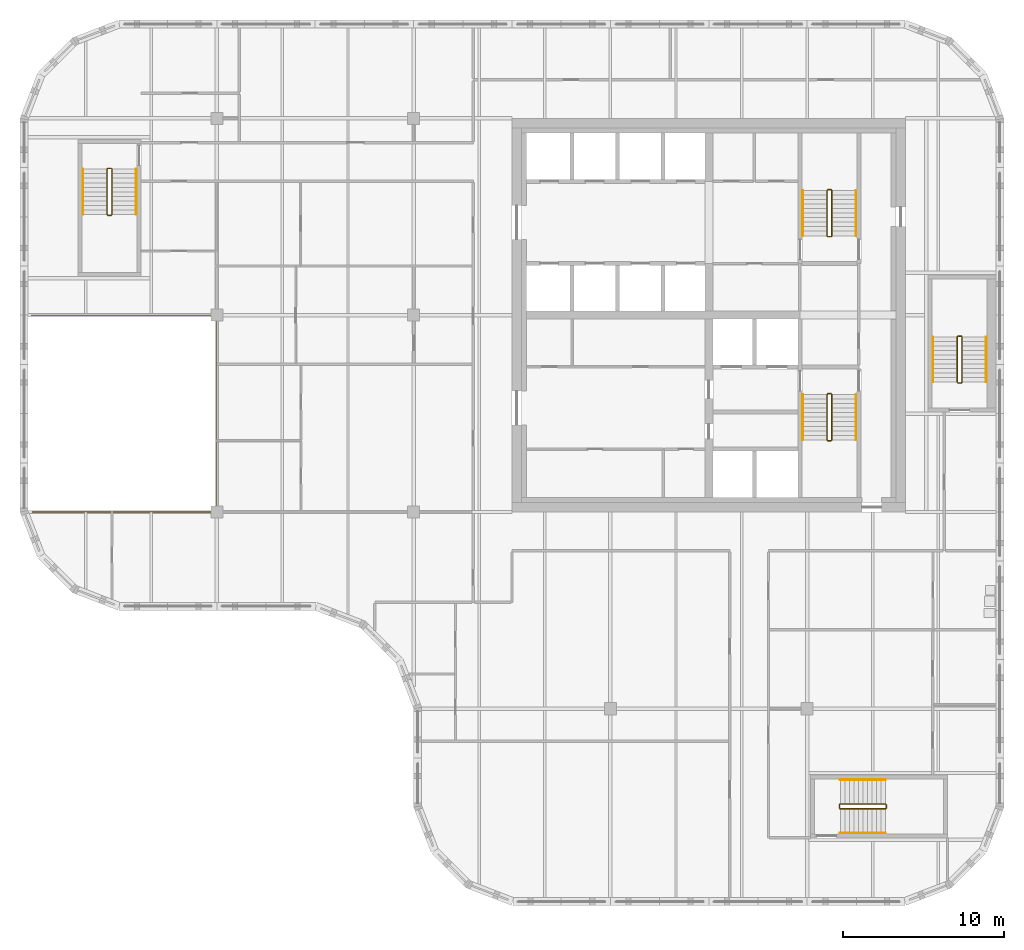
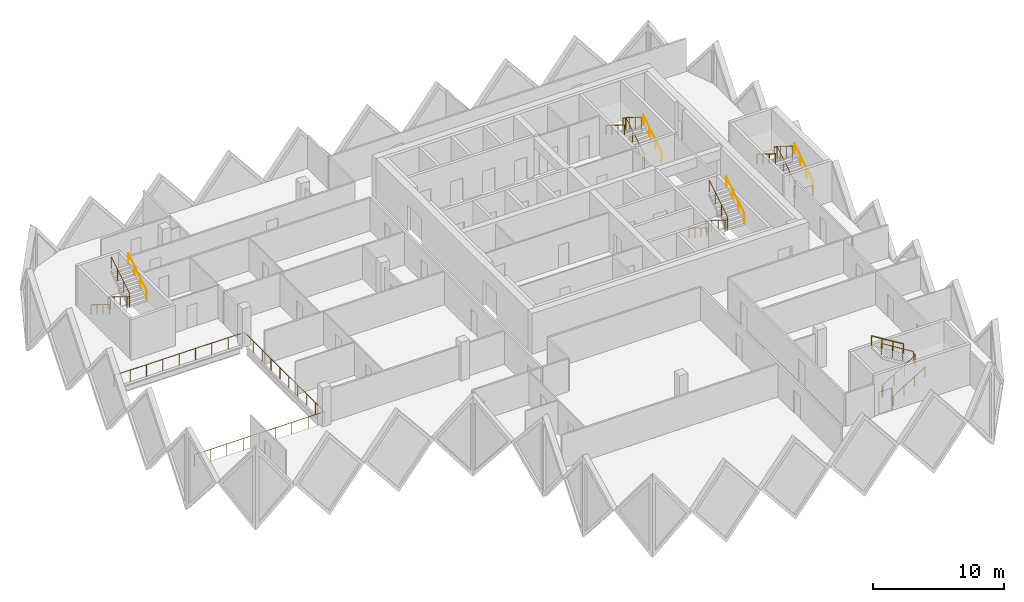
# One storey, part 11 of 12: 16 railings.
"""IFC4 building model written with IfcOpenShell, lengths in metres."""

from ifc_helpers import new_model, si_unit, direction, frame, origin, origin_2d, place, context, subcontext, project, spatial, circle, extrude, material, type_object, element, save


model = new_model("IFC4")

# Units and contexts
model_context = context("Model", 3, precision=1e-05, world=origin(), true_north=direction((0.0, 1.0)))
body_context = subcontext(model_context, "Body", "Model", "MODEL_VIEW")
ifc_project = project(units=[si_unit("LENGTHUNIT", "METRE"), si_unit("AREAUNIT", "SQUARE_METRE"), si_unit("VOLUMEUNIT", "CUBIC_METRE"), si_unit("PLANEANGLEUNIT", "RADIAN"), si_unit("MASSUNIT", "GRAM", prefix="KILO")], contexts=[model_context])

# Site, building, storey
site_placement = place(None, origin())
site = spatial("IfcSite", under=ifc_project, at=site_placement, CompositionType="ELEMENT")
building_placement = place(site_placement, origin())
building = spatial("IfcBuilding", under=site, at=building_placement, Name="Tessera Gate Towers", CompositionType="ELEMENT")
storey_placement = place(building_placement, frame((0.0, 0.0, 182.0)))
storey = spatial("IfcBuildingStorey", under=building, at=storey_placement, Name="L45", CompositionType="ELEMENT", Elevation=182.0)

# Railings
ifc_material_1 = material(Name="Toughened glass with stainless steel handrail", Category="steel")
railing_type_1 = type_object("IfcRailingType", Name="GUARD 1100 GLASS BALUSTRADE", PredefinedType="GUARDRAIL", material=ifc_material_1)
railing_1_placement = place(storey_placement, frame((0.750244140625, 24.39990234375, 0.0)))
element("IfcRailing", 1, at=railing_1_placement, inside=storey, type_object=railing_type_1, Name="Guard", PredefinedType="GUARDRAIL", context=body_context, shape_type="SweptSolid", body=[
    extrude(circle(Radius=0.02490234375, at=origin_2d()), frame((0.0, 0.0, 1.0751953125), z_axis=(1.0, 0.0, 0.0), x_axis=(0.0, 1.0, 0.0)), (0.0, 0.0, 1.0), 11.44970703125),
    extrude(circle(Radius=0.02490234375, at=origin_2d()), frame((11.44970703125, 0.0, 1.0751953125), z_axis=(0.0, 1.0, 0.0), x_axis=(-1.0, 0.0, 0.0)), (0.0, 0.0, 1.0), 12.2001953125),
    extrude(circle(Radius=0.02490234375, at=origin_2d()), frame((11.44970703125, 12.2001953125, 1.0751953125), z_axis=(-1.0, 0.0, 0.0), x_axis=(0.0, -1.0, 0.0)), (0.0, 0.0, 1.0), 11.5),
    extrude(circle(Radius=0.02490234375, at=origin_2d()), origin(), (0.0, 0.0, 1.0), 1.050048828125),
    extrude(circle(Radius=0.02490234375, at=origin_2d()), frame((1.43115234375, 0.0, 0.0)), (0.0, 0.0, 1.0), 1.050048828125),
    extrude(circle(Radius=0.02490234375, at=origin_2d()), frame((2.8623046875, 0.0, 0.0)), (0.0, 0.0, 1.0), 1.050048828125),
    extrude(circle(Radius=0.02490234375, at=origin_2d()), frame((4.293701171875, 0.0, 0.0)), (0.0, 0.0, 1.0), 1.050048828125),
    extrude(circle(Radius=0.02490234375, at=origin_2d()), frame((5.724853515625, 0.0, 0.0)), (0.0, 0.0, 1.0), 1.050048828125),
    extrude(circle(Radius=0.02490234375, at=origin_2d()), frame((7.156005859375, 0.0, 0.0)), (0.0, 0.0, 1.0), 1.050048828125),
    extrude(circle(Radius=0.02490234375, at=origin_2d()), frame((8.58740234375, 0.0, 0.0)), (0.0, 0.0, 1.0), 1.050048828125),
    extrude(circle(Radius=0.02490234375, at=origin_2d()), frame((10.0185546875, 0.0, 0.0)), (0.0, 0.0, 1.0), 1.050048828125),
    extrude(circle(Radius=0.02490234375, at=origin_2d()), frame((11.44970703125, 0.0, 0.0)), (0.0, 0.0, 1.0), 1.050048828125),
    extrude(circle(Radius=0.02490234375, at=origin_2d()), frame((11.44970703125, 1.35546875, 0.0)), (0.0, 0.0, 1.0), 1.050048828125),
    extrude(circle(Radius=0.02490234375, at=origin_2d()), frame((11.44970703125, 2.711181640625, 0.0)), (0.0, 0.0, 1.0), 1.050048828125),
    extrude(circle(Radius=0.02490234375, at=origin_2d()), frame((11.44970703125, 4.066650390625, 0.0)), (0.0, 0.0, 1.0), 1.050048828125),
    extrude(circle(Radius=0.02490234375, at=origin_2d()), frame((11.44970703125, 5.42236328125, 0.0)), (0.0, 0.0, 1.0), 1.050048828125),
    extrude(circle(Radius=0.02490234375, at=origin_2d()), frame((11.44970703125, 6.77783203125, 0.0)), (0.0, 0.0, 1.0), 1.050048828125),
    extrude(circle(Radius=0.02490234375, at=origin_2d()), frame((11.44970703125, 8.133544921875, 0.0)), (0.0, 0.0, 1.0), 1.050048828125),
    extrude(circle(Radius=0.02490234375, at=origin_2d()), frame((11.44970703125, 9.489013671875, 0.0)), (0.0, 0.0, 1.0), 1.050048828125),
    extrude(circle(Radius=0.02490234375, at=origin_2d()), frame((11.44970703125, 10.8447265625, 0.0)), (0.0, 0.0, 1.0), 1.050048828125),
    extrude(circle(Radius=0.02490234375, at=origin_2d()), frame((11.44970703125, 12.2001953125, 0.0)), (0.0, 0.0, 1.0), 1.050048828125),
    extrude(circle(Radius=0.02490234375, at=origin_2d()), frame((10.01220703125, 12.2001953125, 0.0)), (0.0, 0.0, 1.0), 1.050048828125),
    extrude(circle(Radius=0.02490234375, at=origin_2d()), frame((8.57470703125, 12.2001953125, 0.0)), (0.0, 0.0, 1.0), 1.050048828125),
    extrude(circle(Radius=0.02490234375, at=origin_2d()), frame((7.13720703125, 12.2001953125, 0.0)), (0.0, 0.0, 1.0), 1.050048828125),
    extrude(circle(Radius=0.02490234375, at=origin_2d()), frame((5.69970703125, 12.2001953125, 0.0)), (0.0, 0.0, 1.0), 1.050048828125),
    extrude(circle(Radius=0.02490234375, at=origin_2d()), frame((4.26220703125, 12.2001953125, 0.0)), (0.0, 0.0, 1.0), 1.050048828125),
    extrude(circle(Radius=0.02490234375, at=origin_2d()), frame((2.82470703125, 12.2001953125, 0.0)), (0.0, 0.0, 1.0), 1.050048828125),
    extrude(circle(Radius=0.02490234375, at=origin_2d()), frame((1.38720703125, 12.2001953125, 0.0)), (0.0, 0.0, 1.0), 1.050048828125),
    extrude(circle(Radius=0.02490234375, at=origin_2d()), frame((-0.05029296875, 12.2001953125, 0.0)), (0.0, 0.0, 1.0), 1.050048828125),
])
ifc_material_2 = material(Name="Steel 350W", Category="steel")
railing_type_2 = type_object("IfcRailingType", Name="STAIR GUARD 1100", PredefinedType="GUARDRAIL", material=ifc_material_2)
railing_2_placement = place(storey_placement, frame((50.27490234375, 31.72509765625, 0.0)))
element("IfcRailing", 2, at=railing_2_placement, inside=storey, type_object=railing_type_2, Name="L45 ST1 stair guard 1", PredefinedType="GUARDRAIL", context=body_context, shape_type="SweptSolid", body=[
    extrude(circle(Radius=0.02392578125, at=origin_2d()), frame((0.0, 0.0, 1.076171875), z_axis=(-1.0, 0.0, 0.0), x_axis=(0.0, -1.0, 0.0)), (0.0, 0.0, 1.0), 0.199951171875),
    extrude(circle(Radius=0.02392578125, at=origin_2d()), frame((-0.199951171875, 0.0, 1.076171875), z_axis=(-0.268277960024, -0.268277960024, 0.925231793839), x_axis=(0.707106781187, -0.707106781187, 0.0)), (0.0, 0.0, 1.0), 0.1865234375),
    extrude(circle(Radius=0.02392578125, at=origin_2d()), frame((-0.25, -0.050048828125, 1.24853515625), z_axis=(0.0, -0.851089632645, 0.525020415988), x_axis=(1.0, 0.0, 0.0)), (0.0, 0.0, 1.0), 3.2900390625),
    extrude(circle(Radius=0.02392578125, at=origin_2d()), frame((-0.25, -2.85009765625, 2.97607421875), z_axis=(0.707106781187, -0.707106781187, 0.0), x_axis=(0.707106781187, 0.707106781187, 0.0)), (0.0, 0.0, 1.0), 0.07080078125),
    extrude(circle(Radius=0.02392578125, at=origin_2d()), frame((-0.199951171875, -2.900146484375, 2.97607421875), z_axis=(1.0, 0.0, 0.0), x_axis=(0.0, 1.0, 0.0)), (0.0, 0.0, 1.0), 0.199951171875),
    extrude(circle(Radius=0.02392578125, at=origin_2d()), frame((0.0, -2.900146484375, 2.97607421875), z_axis=(0.267953482034, 0.267953482034, 0.925419830635), x_axis=(-0.707106781187, 0.707106781187, 0.0)), (0.0, 0.0, 1.0), 0.186767578125),
    extrude(circle(Radius=0.02392578125, at=origin_2d()), frame((0.050048828125, -2.85009765625, 3.14892578125), z_axis=(0.0, 0.851089632645, 0.525020415988), x_axis=(-1.0, 0.0, 0.0)), (0.0, 0.0, 1.0), 3.2900390625),
    extrude(circle(Radius=0.02099609375, at=origin_2d()), origin(), (0.0, 0.0, 1.0), 1.052001953125),
    extrude(circle(Radius=0.02099609375, at=origin_2d()), frame((-0.199951171875, 0.0, 0.0)), (0.0, 0.0, 1.0), 1.052001953125),
    extrude(circle(Radius=0.02099609375, at=origin_2d()), frame((-0.25, -0.050048828125, 0.172607421875)), (0.0, 0.0, 1.0), 1.052001953125),
    extrude(circle(Radius=0.02099609375, at=origin_2d()), frame((-0.25, -0.9833984375, 0.748291015625)), (0.0, 0.0, 1.0), 1.052001953125),
    extrude(circle(Radius=0.02099609375, at=origin_2d()), frame((-0.25, -1.916748046875, 1.32421875)), (0.0, 0.0, 1.0), 1.052001953125),
    extrude(circle(Radius=0.02099609375, at=origin_2d()), frame((-0.25, -2.85009765625, 1.89990234375)), (0.0, 0.0, 1.0), 1.052001953125),
    extrude(circle(Radius=0.02099609375, at=origin_2d()), frame((-0.199951171875, -2.900146484375, 1.89990234375)), (0.0, 0.0, 1.0), 1.052001953125),
    extrude(circle(Radius=0.02099609375, at=origin_2d()), frame((0.0, -2.900146484375, 1.89990234375)), (0.0, 0.0, 1.0), 1.052001953125),
    extrude(circle(Radius=0.02099609375, at=origin_2d()), frame((0.050048828125, -2.85009765625, 2.07275390625)), (0.0, 0.0, 1.0), 1.052001953125),
    extrude(circle(Radius=0.02099609375, at=origin_2d()), frame((0.050048828125, -1.916748046875, 2.6484375)), (0.0, 0.0, 1.0), 1.052001953125),
    extrude(circle(Radius=0.02099609375, at=origin_2d()), frame((0.050048828125, -0.9833984375, 3.224365234375)), (0.0, 0.0, 1.0), 1.052001953125),
    extrude(circle(Radius=0.02099609375, at=origin_2d()), frame((0.050048828125, -0.050048828125, 3.800048828125)), (0.0, 0.0, 1.0), 1.052001953125),
])
railing_3_placement = place(storey_placement, frame((50.074951171875, 41.47509765625, 0.0)))
element("IfcRailing", 3, at=railing_3_placement, inside=storey, type_object=railing_type_2, Name="L45 ST2 stair guard 1", PredefinedType="GUARDRAIL", context=body_context, shape_type="SweptSolid", body=[
    extrude(circle(Radius=0.02392578125, at=origin_2d()), frame((0.0, 0.0, 1.076171875), z_axis=(1.0, 0.0, 0.0), x_axis=(0.0, 1.0, 0.0)), (0.0, 0.0, 1.0), 0.199951171875),
    extrude(circle(Radius=0.02392578125, at=origin_2d()), frame((0.199951171875, 0.0, 1.076171875), z_axis=(0.268371968888, 0.267062837333, 0.925556009775), x_axis=(-0.705375805398, 0.708833529934, 0.0)), (0.0, 0.0, 1.0), 0.1865234375),
    extrude(circle(Radius=0.02392578125, at=origin_2d()), frame((0.25, 0.0498046875, 1.24853515625), z_axis=(0.0, 0.851089632645, 0.525020415988), x_axis=(-1.0, 0.0, 0.0)), (0.0, 0.0, 1.0), 3.2900390625),
    extrude(circle(Radius=0.02392578125, at=origin_2d()), frame((0.25, 2.849853515625, 2.97607421875), z_axis=(-0.707106781187, 0.707106781187, 0.0), x_axis=(-0.707106781187, -0.707106781187, 0.0)), (0.0, 0.0, 1.0), 0.07080078125),
    extrude(circle(Radius=0.02392578125, at=origin_2d()), frame((0.199951171875, 2.89990234375, 2.97607421875), z_axis=(-1.0, 0.0, 0.0), x_axis=(0.0, -1.0, 0.0)), (0.0, 0.0, 1.0), 0.199951171875),
    extrude(circle(Radius=0.02392578125, at=origin_2d()), frame((0.0, 2.89990234375, 2.97607421875), z_axis=(-0.267953482034, -0.267953482034, 0.925419830635), x_axis=(0.707106781187, -0.707106781187, 0.0)), (0.0, 0.0, 1.0), 0.186767578125),
    extrude(circle(Radius=0.02392578125, at=origin_2d()), frame((-0.050048828125, 2.849853515625, 3.14892578125), z_axis=(0.0, -0.851089632645, 0.525020415988), x_axis=(1.0, 0.0, 0.0)), (0.0, 0.0, 1.0), 3.2900390625),
    extrude(circle(Radius=0.02099609375, at=origin_2d()), origin(), (0.0, 0.0, 1.0), 1.052001953125),
    extrude(circle(Radius=0.02099609375, at=origin_2d()), frame((0.199951171875, 0.0, 0.0)), (0.0, 0.0, 1.0), 1.052001953125),
    extrude(circle(Radius=0.02099609375, at=origin_2d()), frame((0.25, 0.0498046875, 0.172607421875)), (0.0, 0.0, 1.0), 1.052001953125),
    extrude(circle(Radius=0.02099609375, at=origin_2d()), frame((0.25, 0.983154296875, 0.748291015625)), (0.0, 0.0, 1.0), 1.052001953125),
    extrude(circle(Radius=0.02099609375, at=origin_2d()), frame((0.25, 1.91650390625, 1.32421875)), (0.0, 0.0, 1.0), 1.052001953125),
    extrude(circle(Radius=0.02099609375, at=origin_2d()), frame((0.25, 2.849853515625, 1.89990234375)), (0.0, 0.0, 1.0), 1.052001953125),
    extrude(circle(Radius=0.02099609375, at=origin_2d()), frame((0.199951171875, 2.89990234375, 1.89990234375)), (0.0, 0.0, 1.0), 1.052001953125),
    extrude(circle(Radius=0.02099609375, at=origin_2d()), frame((0.0, 2.89990234375, 1.89990234375)), (0.0, 0.0, 1.0), 1.052001953125),
    extrude(circle(Radius=0.02099609375, at=origin_2d()), frame((-0.050048828125, 2.849853515625, 2.07275390625)), (0.0, 0.0, 1.0), 1.052001953125),
    extrude(circle(Radius=0.02099609375, at=origin_2d()), frame((-0.050048828125, 1.91650390625, 2.6484375)), (0.0, 0.0, 1.0), 1.052001953125),
    extrude(circle(Radius=0.02099609375, at=origin_2d()), frame((-0.050048828125, 0.983154296875, 3.224365234375)), (0.0, 0.0, 1.0), 1.052001953125),
    extrude(circle(Radius=0.02099609375, at=origin_2d()), frame((-0.050048828125, 0.0498046875, 3.800048828125)), (0.0, 0.0, 1.0), 1.052001953125),
])
railing_4_placement = place(storey_placement, frame((5.64990234375, 45.699951171875, 0.0)))
element("IfcRailing", 4, at=railing_4_placement, inside=storey, type_object=railing_type_2, Name="L45 ST3 stair guard 1", PredefinedType="GUARDRAIL", context=body_context, shape_type="SweptSolid", body=[
    extrude(circle(Radius=0.02392578125, at=origin_2d()), frame((0.0, 0.0, 1.076171875), z_axis=(-1.0, 0.0, 0.0), x_axis=(0.0, -1.0, 0.0)), (0.0, 0.0, 1.0), 0.199951171875),
    extrude(circle(Radius=0.02392578125, at=origin_2d()), frame((-0.199951171875, 0.0, 1.076171875), z_axis=(-0.268277960024, -0.268277960024, 0.925231793839), x_axis=(0.707106781187, -0.707106781187, 0.0)), (0.0, 0.0, 1.0), 0.1865234375),
    extrude(circle(Radius=0.02392578125, at=origin_2d()), frame((-0.25, -0.050048828125, 1.24853515625), z_axis=(0.0, -0.851069175582, 0.525053576669), x_axis=(1.0, 0.0, 0.0)), (0.0, 0.0, 1.0), 3.289794921875),
    extrude(circle(Radius=0.02392578125, at=origin_2d()), frame((-0.25, -2.849853515625, 2.97607421875), z_axis=(0.707106781187, -0.707106781187, 0.0), x_axis=(0.707106781187, 0.707106781187, 0.0)), (0.0, 0.0, 1.0), 0.07080078125),
    extrude(circle(Radius=0.02392578125, at=origin_2d()), frame((-0.199951171875, -2.89990234375, 2.97607421875), z_axis=(1.0, 0.0, 0.0), x_axis=(0.0, 1.0, 0.0)), (0.0, 0.0, 1.0), 0.199951171875),
    extrude(circle(Radius=0.02392578125, at=origin_2d()), frame((0.0, -2.89990234375, 2.97607421875), z_axis=(0.267953482034, 0.267953482034, 0.925419830635), x_axis=(-0.707106781187, 0.707106781187, 0.0)), (0.0, 0.0, 1.0), 0.186767578125),
    extrude(circle(Radius=0.02392578125, at=origin_2d()), frame((0.050048828125, -2.849853515625, 3.14892578125), z_axis=(0.0, 0.851069175582, 0.525053576669), x_axis=(-1.0, 0.0, 0.0)), (0.0, 0.0, 1.0), 3.289794921875),
    extrude(circle(Radius=0.02099609375, at=origin_2d()), origin(), (0.0, 0.0, 1.0), 1.052001953125),
    extrude(circle(Radius=0.02099609375, at=origin_2d()), frame((-0.199951171875, 0.0, 0.0)), (0.0, 0.0, 1.0), 1.052001953125),
    extrude(circle(Radius=0.02099609375, at=origin_2d()), frame((-0.25, -0.050048828125, 0.172607421875)), (0.0, 0.0, 1.0), 1.052001953125),
    extrude(circle(Radius=0.02099609375, at=origin_2d()), frame((-0.25, -0.9833984375, 0.748291015625)), (0.0, 0.0, 1.0), 1.052001953125),
    extrude(circle(Radius=0.02099609375, at=origin_2d()), frame((-0.25, -1.91650390625, 1.32421875)), (0.0, 0.0, 1.0), 1.052001953125),
    extrude(circle(Radius=0.02099609375, at=origin_2d()), frame((-0.25, -2.849853515625, 1.89990234375)), (0.0, 0.0, 1.0), 1.052001953125),
    extrude(circle(Radius=0.02099609375, at=origin_2d()), frame((-0.199951171875, -2.89990234375, 1.89990234375)), (0.0, 0.0, 1.0), 1.052001953125),
    extrude(circle(Radius=0.02099609375, at=origin_2d()), frame((0.0, -2.89990234375, 1.89990234375)), (0.0, 0.0, 1.0), 1.052001953125),
    extrude(circle(Radius=0.02099609375, at=origin_2d()), frame((0.050048828125, -2.849853515625, 2.07275390625)), (0.0, 0.0, 1.0), 1.052001953125),
    extrude(circle(Radius=0.02099609375, at=origin_2d()), frame((0.050048828125, -1.91650390625, 2.6484375)), (0.0, 0.0, 1.0), 1.052001953125),
    extrude(circle(Radius=0.02099609375, at=origin_2d()), frame((0.050048828125, -0.9833984375, 3.224365234375)), (0.0, 0.0, 1.0), 1.052001953125),
    extrude(circle(Radius=0.02099609375, at=origin_2d()), frame((0.050048828125, -0.050048828125, 3.800048828125)), (0.0, 0.0, 1.0), 1.052001953125),
])
railing_5_placement = place(storey_placement, frame((50.800048828125, 6.25, 0.0)))
element("IfcRailing", 5, at=railing_5_placement, inside=storey, type_object=railing_type_2, Name="L45 ST4 stair guard 1", PredefinedType="GUARDRAIL", context=body_context, shape_type="SweptSolid", body=[
    extrude(circle(Radius=0.02392578125, at=origin_2d()), frame((0.0, 0.0, 1.076171875), z_axis=(0.0, -1.0, 0.0), x_axis=(1.0, 0.0, 0.0)), (0.0, 0.0, 1.0), 0.199951171875),
    extrude(circle(Radius=0.02392578125, at=origin_2d()), frame((0.0, -0.199951171875, 1.076171875), z_axis=(0.268277960024, -0.268277960024, 0.925231793839), x_axis=(0.707106781187, 0.707106781187, 0.0)), (0.0, 0.0, 1.0), 0.1865234375),
    extrude(circle(Radius=0.02392578125, at=origin_2d()), frame((0.050048828125, -0.25, 1.24853515625), z_axis=(0.851069175582, 0.0, 0.525053576669), x_axis=(0.0, 1.0, 0.0)), (0.0, 0.0, 1.0), 3.289794921875),
    extrude(circle(Radius=0.02392578125, at=origin_2d()), frame((2.849853515625, -0.25, 2.97607421875), z_axis=(0.707106781187, 0.707106781187, 0.0), x_axis=(-0.707106781187, 0.707106781187, 0.0)), (0.0, 0.0, 1.0), 0.07080078125),
    extrude(circle(Radius=0.02392578125, at=origin_2d()), frame((2.89990234375, -0.199951171875, 2.97607421875), z_axis=(0.0, 1.0, 0.0), x_axis=(-1.0, 0.0, 0.0)), (0.0, 0.0, 1.0), 0.199951171875),
    extrude(circle(Radius=0.02392578125, at=origin_2d()), frame((2.89990234375, 0.0, 2.97607421875), z_axis=(-0.267953482034, 0.267953482034, 0.925419830635), x_axis=(-0.707106781187, -0.707106781187, 0.0)), (0.0, 0.0, 1.0), 0.186767578125),
    extrude(circle(Radius=0.02392578125, at=origin_2d()), frame((2.849853515625, 0.050048828125, 3.14892578125), z_axis=(-0.851069175582, 0.0, 0.525053576669), x_axis=(0.0, -1.0, 0.0)), (0.0, 0.0, 1.0), 3.289794921875),
    extrude(circle(Radius=0.02099609375, at=origin_2d()), origin(), (0.0, 0.0, 1.0), 1.052001953125),
    extrude(circle(Radius=0.02099609375, at=origin_2d()), frame((0.0, -0.199951171875, 0.0)), (0.0, 0.0, 1.0), 1.052001953125),
    extrude(circle(Radius=0.02099609375, at=origin_2d()), frame((0.050048828125, -0.25, 0.172607421875)), (0.0, 0.0, 1.0), 1.052001953125),
    extrude(circle(Radius=0.02099609375, at=origin_2d()), frame((0.9833984375, -0.25, 0.748291015625)), (0.0, 0.0, 1.0), 1.052001953125),
    extrude(circle(Radius=0.02099609375, at=origin_2d()), frame((1.91650390625, -0.25, 1.32421875)), (0.0, 0.0, 1.0), 1.052001953125),
    extrude(circle(Radius=0.02099609375, at=origin_2d()), frame((2.849853515625, -0.25, 1.89990234375)), (0.0, 0.0, 1.0), 1.052001953125),
    extrude(circle(Radius=0.02099609375, at=origin_2d()), frame((2.89990234375, -0.199951171875, 1.89990234375)), (0.0, 0.0, 1.0), 1.052001953125),
    extrude(circle(Radius=0.02099609375, at=origin_2d()), frame((2.89990234375, 0.0, 1.89990234375)), (0.0, 0.0, 1.0), 1.052001953125),
    extrude(circle(Radius=0.02099609375, at=origin_2d()), frame((2.849853515625, 0.050048828125, 2.07275390625)), (0.0, 0.0, 1.0), 1.052001953125),
    extrude(circle(Radius=0.02099609375, at=origin_2d()), frame((1.91650390625, 0.050048828125, 2.6484375)), (0.0, 0.0, 1.0), 1.052001953125),
    extrude(circle(Radius=0.02099609375, at=origin_2d()), frame((0.9833984375, 0.050048828125, 3.224365234375)), (0.0, 0.0, 1.0), 1.052001953125),
    extrude(circle(Radius=0.02099609375, at=origin_2d()), frame((0.050048828125, 0.050048828125, 3.800048828125)), (0.0, 0.0, 1.0), 1.052001953125),
])
railing_6_placement = place(storey_placement, frame((58.14990234375, 32.39990234375, 0.0)))
element("IfcRailing", 6, at=railing_6_placement, inside=storey, type_object=railing_type_2, Name="L45 ST5 stair guard 1", PredefinedType="GUARDRAIL", context=body_context, shape_type="SweptSolid", body=[
    extrude(circle(Radius=0.02392578125, at=origin_2d()), frame((0.0, 0.0, 1.076171875), z_axis=(1.0, 0.0, 0.0), x_axis=(0.0, 1.0, 0.0)), (0.0, 0.0, 1.0), 0.2001953125),
    extrude(circle(Radius=0.02392578125, at=origin_2d()), frame((0.2001953125, 0.0, 1.076171875), z_axis=(0.267062837333, 0.268371968888, 0.925556009775), x_axis=(-0.708833529934, 0.705375805398, 0.0)), (0.0, 0.0, 1.0), 0.1865234375),
    extrude(circle(Radius=0.02392578125, at=origin_2d()), frame((0.25, 0.050048828125, 1.24853515625), z_axis=(0.0, 0.851089632645, 0.525020415988), x_axis=(-1.0, 0.0, 0.0)), (0.0, 0.0, 1.0), 3.2900390625),
    extrude(circle(Radius=0.02392578125, at=origin_2d()), frame((0.25, 2.85009765625, 2.97607421875), z_axis=(-0.705375805398, 0.708833529934, 0.0), x_axis=(-0.708833529934, -0.705375805398, 0.0)), (0.0, 0.0, 1.0), 0.070556640625),
    extrude(circle(Radius=0.02392578125, at=origin_2d()), frame((0.2001953125, 2.900146484375, 2.97607421875), z_axis=(-1.0, 0.0, 0.0), x_axis=(0.0, -1.0, 0.0)), (0.0, 0.0, 1.0), 0.2001953125),
    extrude(circle(Radius=0.02392578125, at=origin_2d()), frame((0.0, 2.900146484375, 2.97607421875), z_axis=(-0.266739603011, -0.268047150085, 0.925743328097), x_axis=(0.708833529934, -0.705375805398, 0.0)), (0.0, 0.0, 1.0), 0.186767578125),
    extrude(circle(Radius=0.02392578125, at=origin_2d()), frame((-0.0498046875, 2.85009765625, 3.14892578125), z_axis=(0.0, -0.851089632645, 0.525020415988), x_axis=(1.0, 0.0, 0.0)), (0.0, 0.0, 1.0), 3.2900390625),
    extrude(circle(Radius=0.02099609375, at=origin_2d()), origin(), (0.0, 0.0, 1.0), 1.052001953125),
    extrude(circle(Radius=0.02099609375, at=origin_2d()), frame((0.2001953125, 0.0, 0.0)), (0.0, 0.0, 1.0), 1.052001953125),
    extrude(circle(Radius=0.02099609375, at=origin_2d()), frame((0.25, 0.050048828125, 0.172607421875)), (0.0, 0.0, 1.0), 1.052001953125),
    extrude(circle(Radius=0.02099609375, at=origin_2d()), frame((0.25, 0.9833984375, 0.748291015625)), (0.0, 0.0, 1.0), 1.052001953125),
    extrude(circle(Radius=0.02099609375, at=origin_2d()), frame((0.25, 1.916748046875, 1.32421875)), (0.0, 0.0, 1.0), 1.052001953125),
    extrude(circle(Radius=0.02099609375, at=origin_2d()), frame((0.25, 2.85009765625, 1.89990234375)), (0.0, 0.0, 1.0), 1.052001953125),
    extrude(circle(Radius=0.02099609375, at=origin_2d()), frame((0.2001953125, 2.900146484375, 1.89990234375)), (0.0, 0.0, 1.0), 1.052001953125),
    extrude(circle(Radius=0.02099609375, at=origin_2d()), frame((0.0, 2.900146484375, 1.89990234375)), (0.0, 0.0, 1.0), 1.052001953125),
    extrude(circle(Radius=0.02099609375, at=origin_2d()), frame((-0.0498046875, 2.85009765625, 2.07275390625)), (0.0, 0.0, 1.0), 1.052001953125),
    extrude(circle(Radius=0.02099609375, at=origin_2d()), frame((-0.0498046875, 1.916748046875, 2.6484375)), (0.0, 0.0, 1.0), 1.052001953125),
    extrude(circle(Radius=0.02099609375, at=origin_2d()), frame((-0.0498046875, 0.9833984375, 3.224365234375)), (0.0, 0.0, 1.0), 1.052001953125),
    extrude(circle(Radius=0.02099609375, at=origin_2d()), frame((-0.0498046875, 0.050048828125, 3.800048828125)), (0.0, 0.0, 1.0), 1.052001953125),
])
ifc_material_3 = material(Name="Steel 350W", Category="steel")
railing_type_3 = type_object("IfcRailingType", Name="STAIR HANDRAIL 900", PredefinedType="HANDRAIL", material=ifc_material_3)
railing_7_placement = place(storey_placement, frame((48.52490234375, 31.675048828125, 0.172607421875)))
element("IfcRailing", 7, at=railing_7_placement, inside=storey, type_object=railing_type_3, Name="L45 ST1 stair handrail 1", PredefinedType="HANDRAIL", context=body_context, shape_type="SweptSolid", body=[
    extrude(circle(Radius=0.02392578125, at=origin_2d()), frame((0.0, 0.0, 0.8759765625), z_axis=(0.0, -0.851089632645, 0.525020415988), x_axis=(1.0, 0.0, 0.0)), (0.0, 0.0, 1.0), 3.2900390625),
    extrude(circle(Radius=0.02099609375, at=origin_2d()), origin(), (0.0, 0.0, 1.0), 0.851806640625),
    extrude(circle(Radius=0.02099609375, at=origin_2d()), frame((0.0, -0.933349609375, 0.57568359375)), (0.0, 0.0, 1.0), 0.851806640625),
    extrude(circle(Radius=0.02099609375, at=origin_2d()), frame((0.0, -1.86669921875, 1.151611328125)), (0.0, 0.0, 1.0), 0.851806640625),
    extrude(circle(Radius=0.02099609375, at=origin_2d()), frame((0.0, -2.800048828125, 1.727294921875)), (0.0, 0.0, 1.0), 0.851806640625),
])
for number, where, name in (
    (8, (51.824951171875, 28.875, 2.07275390625), "L45 ST1 stair handrail 2"),
    (9, (51.824951171875, 41.52490234375, 0.172607421875), "L45 ST2 stair handrail 1"),
):
    element("IfcRailing", number, at=place(storey_placement, frame(where)), inside=storey, type_object=railing_type_3, Name=name, PredefinedType="HANDRAIL", context=body_context, shape_type="SweptSolid", body=[
        extrude(circle(Radius=0.02392578125, at=origin_2d()), frame((0.0, 0.0, 0.8759765625), z_axis=(0.0, 0.851089632645, 0.525020415988), x_axis=(-1.0, 0.0, 0.0)), (0.0, 0.0, 1.0), 3.2900390625),
        extrude(circle(Radius=0.02099609375, at=origin_2d()), origin(), (0.0, 0.0, 1.0), 0.851806640625),
        extrude(circle(Radius=0.02099609375, at=origin_2d()), frame((0.0, 0.933349609375, 0.57568359375)), (0.0, 0.0, 1.0), 0.851806640625),
        extrude(circle(Radius=0.02099609375, at=origin_2d()), frame((0.0, 1.86669921875, 1.151611328125)), (0.0, 0.0, 1.0), 0.851806640625),
        extrude(circle(Radius=0.02099609375, at=origin_2d()), frame((0.0, 2.800048828125, 1.727294921875)), (0.0, 0.0, 1.0), 0.851806640625),
    ])
railing_8_placement = place(storey_placement, frame((48.52490234375, 44.324951171875, 2.07275390625)))
element("IfcRailing", 10, at=railing_8_placement, inside=storey, type_object=railing_type_3, Name="L45 ST2 stair handrail 2", PredefinedType="HANDRAIL", context=body_context, shape_type="SweptSolid", body=[
    extrude(circle(Radius=0.02392578125, at=origin_2d()), frame((0.0, 0.0, 0.8759765625), z_axis=(0.0, -0.851089632645, 0.525020415988), x_axis=(1.0, 0.0, 0.0)), (0.0, 0.0, 1.0), 3.2900390625),
    extrude(circle(Radius=0.02099609375, at=origin_2d()), origin(), (0.0, 0.0, 1.0), 0.851806640625),
    extrude(circle(Radius=0.02099609375, at=origin_2d()), frame((0.0, -0.933349609375, 0.57568359375)), (0.0, 0.0, 1.0), 0.851806640625),
    extrude(circle(Radius=0.02099609375, at=origin_2d()), frame((0.0, -1.86669921875, 1.151611328125)), (0.0, 0.0, 1.0), 0.851806640625),
    extrude(circle(Radius=0.02099609375, at=origin_2d()), frame((0.0, -2.800048828125, 1.727294921875)), (0.0, 0.0, 1.0), 0.851806640625),
])
railing_9_placement = place(storey_placement, frame((3.89990234375, 45.64990234375, 0.172607421875)))
element("IfcRailing", 11, at=railing_9_placement, inside=storey, type_object=railing_type_3, Name="L45 ST3 stair handrail 1", PredefinedType="HANDRAIL", context=body_context, shape_type="SweptSolid", body=[
    extrude(circle(Radius=0.02392578125, at=origin_2d()), frame((0.0, 0.0, 0.8759765625), z_axis=(0.0, -0.851069175582, 0.525053576669), x_axis=(1.0, 0.0, 0.0)), (0.0, 0.0, 1.0), 3.289794921875),
    extrude(circle(Radius=0.02099609375, at=origin_2d()), origin(), (0.0, 0.0, 1.0), 0.851806640625),
    extrude(circle(Radius=0.02099609375, at=origin_2d()), frame((0.0, -0.933349609375, 0.57568359375)), (0.0, 0.0, 1.0), 0.851806640625),
    extrude(circle(Radius=0.02099609375, at=origin_2d()), frame((0.0, -1.866455078125, 1.151611328125)), (0.0, 0.0, 1.0), 0.851806640625),
    extrude(circle(Radius=0.02099609375, at=origin_2d()), frame((0.0, -2.7998046875, 1.727294921875)), (0.0, 0.0, 1.0), 0.851806640625),
])
railing_10_placement = place(storey_placement, frame((7.199951171875, 42.85009765625, 2.07275390625)))
element("IfcRailing", 12, at=railing_10_placement, inside=storey, type_object=railing_type_3, Name="L45 ST3 stair handrail 2", PredefinedType="HANDRAIL", context=body_context, shape_type="SweptSolid", body=[
    extrude(circle(Radius=0.02392578125, at=origin_2d()), frame((0.0, 0.0, 0.8759765625), z_axis=(0.0, 0.851069175582, 0.525053576669), x_axis=(-1.0, 0.0, 0.0)), (0.0, 0.0, 1.0), 3.289794921875),
    extrude(circle(Radius=0.02099609375, at=origin_2d()), origin(), (0.0, 0.0, 1.0), 0.851806640625),
    extrude(circle(Radius=0.02099609375, at=origin_2d()), frame((0.0, 0.933349609375, 0.57568359375)), (0.0, 0.0, 1.0), 0.851806640625),
    extrude(circle(Radius=0.02099609375, at=origin_2d()), frame((0.0, 1.866455078125, 1.151611328125)), (0.0, 0.0, 1.0), 0.851806640625),
    extrude(circle(Radius=0.02099609375, at=origin_2d()), frame((0.0, 2.7998046875, 1.727294921875)), (0.0, 0.0, 1.0), 0.851806640625),
])
railing_11_placement = place(storey_placement, frame((50.85009765625, 4.5, 0.172607421875)))
element("IfcRailing", 13, at=railing_11_placement, inside=storey, type_object=railing_type_3, Name="L45 ST4 stair handrail 1", PredefinedType="HANDRAIL", context=body_context, shape_type="SweptSolid", body=[
    extrude(circle(Radius=0.02392578125, at=origin_2d()), frame((0.0, 0.0, 0.8759765625), z_axis=(0.851069175582, 0.0, 0.525053576669), x_axis=(0.0, 1.0, 0.0)), (0.0, 0.0, 1.0), 3.289794921875),
    extrude(circle(Radius=0.02099609375, at=origin_2d()), origin(), (0.0, 0.0, 1.0), 0.851806640625),
    extrude(circle(Radius=0.02099609375, at=origin_2d()), frame((0.933349609375, 0.0, 0.57568359375)), (0.0, 0.0, 1.0), 0.851806640625),
    extrude(circle(Radius=0.02099609375, at=origin_2d()), frame((1.866455078125, 0.0, 1.151611328125)), (0.0, 0.0, 1.0), 0.851806640625),
    extrude(circle(Radius=0.02099609375, at=origin_2d()), frame((2.7998046875, 0.0, 1.727294921875)), (0.0, 0.0, 1.0), 0.851806640625),
])
railing_12_placement = place(storey_placement, frame((53.64990234375, 7.800048828125, 2.07275390625)))
element("IfcRailing", 14, at=railing_12_placement, inside=storey, type_object=railing_type_3, Name="L45 ST4 stair handrail 2", PredefinedType="HANDRAIL", context=body_context, shape_type="SweptSolid", body=[
    extrude(circle(Radius=0.02392578125, at=origin_2d()), frame((0.0, 0.0, 0.8759765625), z_axis=(-0.851069175582, 0.0, 0.525053576669), x_axis=(0.0, -1.0, 0.0)), (0.0, 0.0, 1.0), 3.289794921875),
    extrude(circle(Radius=0.02099609375, at=origin_2d()), origin(), (0.0, 0.0, 1.0), 0.851806640625),
    extrude(circle(Radius=0.02099609375, at=origin_2d()), frame((-0.933349609375, 0.0, 0.57568359375)), (0.0, 0.0, 1.0), 0.851806640625),
    extrude(circle(Radius=0.02099609375, at=origin_2d()), frame((-1.866455078125, 0.0, 1.151611328125)), (0.0, 0.0, 1.0), 0.851806640625),
    extrude(circle(Radius=0.02099609375, at=origin_2d()), frame((-2.7998046875, 0.0, 1.727294921875)), (0.0, 0.0, 1.0), 0.851806640625),
])
railing_13_placement = place(storey_placement, frame((59.89990234375, 32.449951171875, 0.172607421875)))
element("IfcRailing", 15, at=railing_13_placement, inside=storey, type_object=railing_type_3, Name="L45 ST5 stair handrail 1", PredefinedType="HANDRAIL", context=body_context, shape_type="SweptSolid", body=[
    extrude(circle(Radius=0.02392578125, at=origin_2d()), frame((0.0, 0.0, 0.8759765625), z_axis=(0.0, 0.851089632645, 0.525020415988), x_axis=(-1.0, 0.0, 0.0)), (0.0, 0.0, 1.0), 3.2900390625),
    extrude(circle(Radius=0.02099609375, at=origin_2d()), origin(), (0.0, 0.0, 1.0), 0.851806640625),
    extrude(circle(Radius=0.02099609375, at=origin_2d()), frame((0.0, 0.933349609375, 0.57568359375)), (0.0, 0.0, 1.0), 0.851806640625),
    extrude(circle(Radius=0.02099609375, at=origin_2d()), frame((0.0, 1.86669921875, 1.151611328125)), (0.0, 0.0, 1.0), 0.851806640625),
    extrude(circle(Radius=0.02099609375, at=origin_2d()), frame((0.0, 2.800048828125, 1.727294921875)), (0.0, 0.0, 1.0), 0.851806640625),
])
railing_14_placement = place(storey_placement, frame((56.60009765625, 35.25, 2.07275390625)))
element("IfcRailing", 16, at=railing_14_placement, inside=storey, type_object=railing_type_3, Name="L45 ST5 stair handrail 2", PredefinedType="HANDRAIL", context=body_context, shape_type="SweptSolid", body=[
    extrude(circle(Radius=0.02392578125, at=origin_2d()), frame((0.0, 0.0, 0.8759765625), z_axis=(0.0, -0.851089632645, 0.525020415988), x_axis=(1.0, 0.0, 0.0)), (0.0, 0.0, 1.0), 3.2900390625),
    extrude(circle(Radius=0.02099609375, at=origin_2d()), origin(), (0.0, 0.0, 1.0), 0.851806640625),
    extrude(circle(Radius=0.02099609375, at=origin_2d()), frame((0.0, -0.933349609375, 0.57568359375)), (0.0, 0.0, 1.0), 0.851806640625),
    extrude(circle(Radius=0.02099609375, at=origin_2d()), frame((0.0, -1.86669921875, 1.151611328125)), (0.0, 0.0, 1.0), 0.851806640625),
    extrude(circle(Radius=0.02099609375, at=origin_2d()), frame((0.0, -2.800048828125, 1.727294921875)), (0.0, 0.0, 1.0), 0.851806640625),
])

save(model, "model.ifc")
